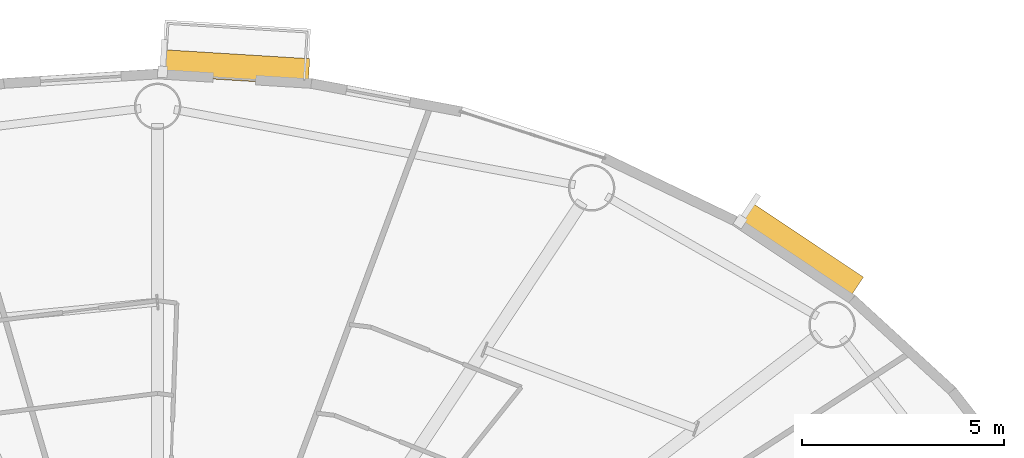
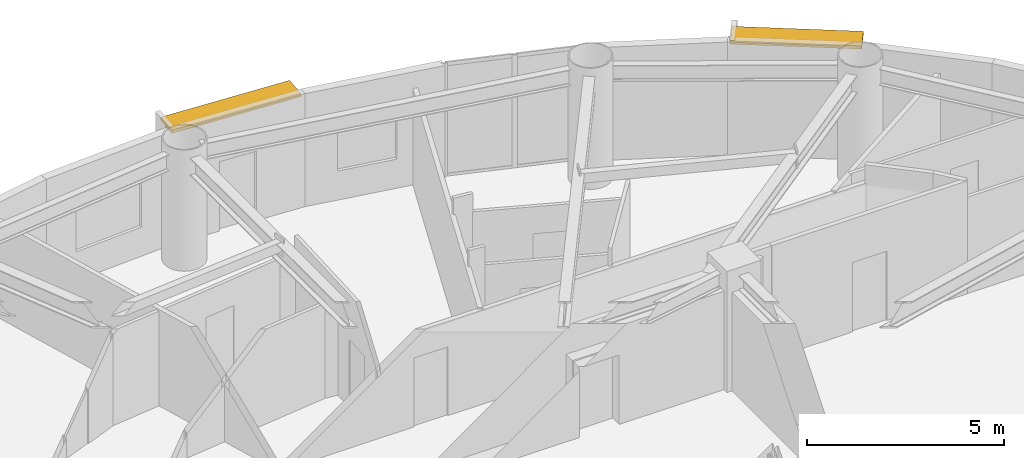
# One storey, part 22 of 22: 2 shading devices.
"""IFC4 building model written with IfcOpenShell, lengths in metres."""

from ifc_helpers import new_model, si_unit, direction, frame, origin, origin_2d, place, context, subcontext, project, spatial, rectangle, extrude, source, transform, mapped, material, layer, layer_set, type_object, element, save


model = new_model("IFC4")

# Units and contexts
model_context = context("Model", 3, precision=1e-05, world=origin(), true_north=direction((0.0, 1.0)))
body_context = subcontext(model_context, "Body", "Model", "MODEL_VIEW")
ifc_project = project(units=[si_unit("LENGTHUNIT", "METRE"), si_unit("AREAUNIT", "SQUARE_METRE"), si_unit("VOLUMEUNIT", "CUBIC_METRE"), si_unit("PLANEANGLEUNIT", "RADIAN"), si_unit("MASSUNIT", "GRAM", prefix="KILO")], contexts=[model_context])

# Site, building, storey
site_placement = place(None, origin())
site = spatial("IfcSite", under=ifc_project, at=site_placement, CompositionType="ELEMENT")
building_placement = place(site_placement, origin())
building = spatial("IfcBuilding", under=site, at=building_placement, Name="Linh Dai School and Residence Tower", CompositionType="ELEMENT")
storey_placement = place(building_placement, frame((0.0, 0.0, 214.050048828125)))
storey = spatial("IfcBuildingStorey", under=building, at=storey_placement, Name="L52", CompositionType="ELEMENT", Elevation=214.050048828125)

# Shading devices
ifc_material = material(Name="Terracotta Ceramic Sunshade", Category="masonry")
ifc_layer = layer(ifc_material, 0.10009765625)
ifc_layer_set = layer_set([ifc_layer], Name="Terracotta Ceramic Sunshade")
shading_device_type = type_object("IfcShadingDeviceType", Name="SHD-TC-650", PredefinedType="USERDEFINED", material=ifc_layer_set)
shared_shape_1 = source(origin(), body_context, "Body", "SweptSolid", [
    extrude(rectangle(XDim=3.3447265625, YDim=0.64990234375, at=origin_2d()), origin(), (0.0, 0.0, 1.0), 0.10009765625),
])
shading_device_1_placement = place(storey_placement, frame((51.88671875, 41.6162109375, 3.3798828125), z_axis=(0.0, 0.0, 1.0), x_axis=(0.831257719597, -0.555887222025, 0.0)))
element("IfcShadingDevice", 1, at=shading_device_1_placement, inside=storey, type_object=shading_device_type, Name="L52 Terracotta Horizontal Sunshade Band 06", ObjectType="SUNSHADE", PredefinedType="USERDEFINED", context=body_context, shape_type="MappedRepresentation", body=[
    mapped(shared_shape_1, transform((0.0, 0.0, 0.0), x_axis=(1.0, 0.0, 0.0), y_axis=(0.0, 1.0, 0.0), z_axis=(0.0, 0.0, 1.0), scale=1.0)),
])
shared_shape_2 = source(origin(), body_context, "Body", "SweptSolid", [
    extrude(rectangle(XDim=3.656494140625, YDim=0.64990234375, at=origin_2d()), origin(), (0.0, 0.0, 1.0), 0.10009765625),
])
shading_device_2_placement = place(storey_placement, frame((37.91845703125, 46.147216796875, 3.3798828125), z_axis=(0.0, 0.0, 1.0), x_axis=(0.998106809974, -0.061504437922, 0.0)))
element("IfcShadingDevice", 2, at=shading_device_2_placement, inside=storey, type_object=shading_device_type, Name="L52 Terracotta Horizontal Sunshade Band 10", ObjectType="SUNSHADE", PredefinedType="USERDEFINED", context=body_context, shape_type="MappedRepresentation", body=[
    mapped(shared_shape_2, transform((0.0, 0.0, 0.0), x_axis=(1.0, 0.0, 0.0), y_axis=(0.0, 1.0, 0.0), z_axis=(0.0, 0.0, 1.0), scale=1.0)),
])

save(model, "model.ifc")
